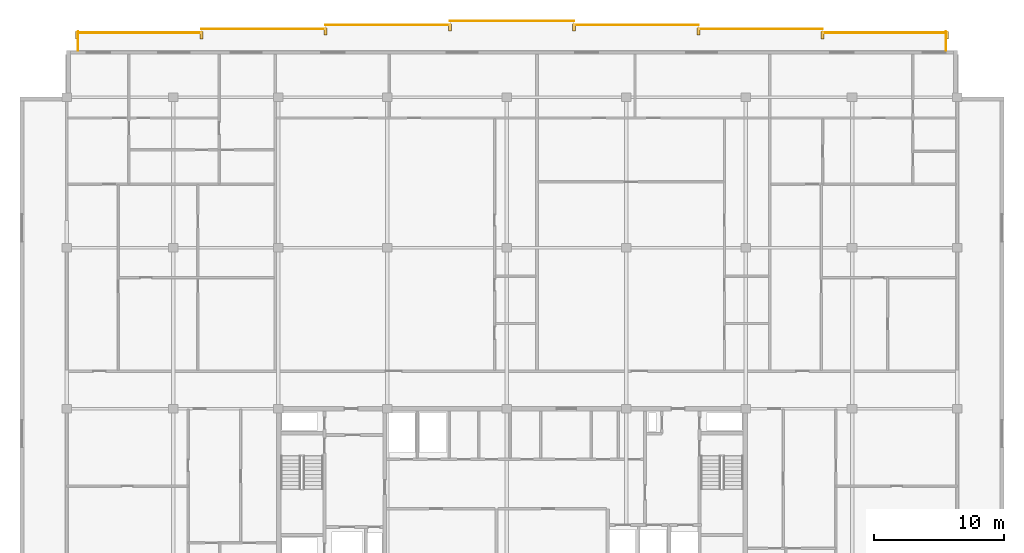
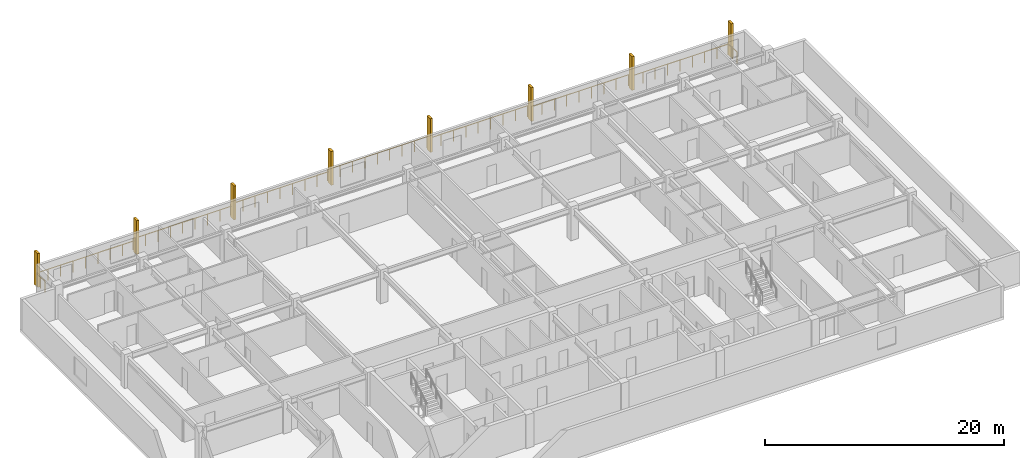
# One storey, part 10 of 10: 9 railings, 8 shading devices.
"""IFC4 building model written with IfcOpenShell, lengths in metres."""

import ifcopenshell
import ifcopenshell.guid

model = None  # the IFC model being written
_history = None  # IfcOwnerHistory: only IFC2X3 demands one
_inside = {}  # id of a spatial element -> (the spatial element, [elements in it])
_under = {}  # id of a project, library or spatial element -> (it, [spatial elements below it])
_declared = {}  # id of a project -> (the project, [libraries it declares])
_typed = {}  # id of a type object -> (the type object, [elements of that type])
_made_of = {}  # id of a material, layer set ... -> (it, [elements and type objects made of it])


def new_model(schema):
    """Start an empty IFC model of exactly this schema.

    Asked for "IFC4X3", IfcOpenShell would pick the latest addendum, in which some entities
    have other attributes; the version numbers below select the first issue.
    IFC2X3 requires an IfcOwnerHistory on every rooted entity: one is made here for all.
    """
    global model, _history
    if schema == "IFC4X3":
        model = ifcopenshell.file(schema_version=(4, 3, 0, 0))
    else:
        model = ifcopenshell.file(schema=schema)
    _inside.clear()
    _under.clear()
    _declared.clear()
    _typed.clear()
    _made_of.clear()
    _history = None
    if model.schema == "IFC2X3":
        org = make("IfcOrganization", Name="unknown")
        user = make(
            "IfcPersonAndOrganization",
            ThePerson=make("IfcPerson", FamilyName="unknown"),
            TheOrganization=org,
        )
        app = make(
            "IfcApplication",
            ApplicationDeveloper=org,
            Version="unknown",
            ApplicationFullName="unknown",
            ApplicationIdentifier="unknown",
        )
        _history = make(
            "IfcOwnerHistory",
            OwningUser=user,
            OwningApplication=app,
            ChangeAction="ADDED",
            CreationDate=0,
        )
    return model


def make(cls, **values):
    """One entity of the class cls with the attributes given. An attribute that is None is left unset."""
    return model.create_entity(
        cls, **{name: value for name, value in values.items() if value is not None}
    )


def rooted(cls, **values):
    """An entity with a GlobalId (a new one), such as an element, a storey or a relation."""
    return make(cls, GlobalId=ifcopenshell.guid.new(), OwnerHistory=_history, **values)


def si_unit(unit_type, name, prefix=None):
    """IfcSIUnit, for example si_unit("LENGTHUNIT", "METRE", prefix="MILLI")."""
    return make("IfcSIUnit", UnitType=unit_type, Prefix=prefix, Name=name)


def assignment(units):
    """IfcUnitAssignment: the units of a project."""
    return None if units is None else make("IfcUnitAssignment", Units=units)


def point(xyz):
    """IfcCartesianPoint."""
    return None if xyz is None else make("IfcCartesianPoint", Coordinates=xyz)


def direction(xyz):
    """IfcDirection."""
    return None if xyz is None else make("IfcDirection", DirectionRatios=xyz)


def frame(location, z_axis=None, x_axis=None):
    """IfcAxis2Placement3D, a coordinate frame: its origin and axes. An axis left out is left unset."""
    return make(
        "IfcAxis2Placement3D",
        Location=point(location),
        Axis=direction(z_axis),
        RefDirection=direction(x_axis),
    )


def frame_2d(location, x_axis=None):
    """IfcAxis2Placement2D, a coordinate frame in the plane: its origin and x axis."""
    return make(
        "IfcAxis2Placement2D", Location=point(location), RefDirection=direction(x_axis)
    )


def origin():
    """The frame at (0, 0, 0) with its axes left unset."""
    return frame((0.0, 0.0, 0.0))


def origin_2d():
    """The frame at (0, 0) in the plane with its x axis left unset."""
    return frame_2d((0.0, 0.0))


def place(relative_to, where):
    """IfcLocalPlacement: puts the frame where relative to a parent placement (None: the world)."""
    return make(
        "IfcLocalPlacement", PlacementRelTo=relative_to, RelativePlacement=where
    )


def context(
    kind, dimensions, precision=None, world=None, true_north=None, identifier=None
):
    """IfcGeometricRepresentationContext, for example the 3D "Model" context."""
    return make(
        "IfcGeometricRepresentationContext",
        ContextIdentifier=identifier,
        ContextType=kind,
        CoordinateSpaceDimension=dimensions,
        Precision=precision,
        WorldCoordinateSystem=world,
        TrueNorth=true_north,
    )


def subcontext(parent, identifier, kind, view, scale=None):
    """IfcGeometricRepresentationSubContext, for example "Body" below "Model"."""
    return make(
        "IfcGeometricRepresentationSubContext",
        ContextIdentifier=identifier,
        ContextType=kind,
        ParentContext=parent,
        TargetScale=scale,
        TargetView=view,
    )


def project(units=None, contexts=None):
    """IfcProject with its units and contexts."""
    return rooted(
        "IfcProject",
        Name="project",
        RepresentationContexts=contexts,
        UnitsInContext=assignment(units),
    )


def spatial(cls, under=None, at=None, **own):
    """A site, building, storey or space (cls), placed at a placement, below another one or the project."""
    s = rooted(cls, ObjectPlacement=at, **own)
    if under is not None:
        _under.setdefault(under.id(), (under, []))[1].append(s)
    return s


def profile(cls, at=None, kind="AREA", **sizes):
    """A parametric profile (cls). Its sizes go by their IFC names, for example OverallWidth=200.0."""
    return make(cls, ProfileType=kind, Position=at, **sizes)


def rectangle(**sizes):
    """IfcRectangleProfileDef."""
    return profile("IfcRectangleProfileDef", **sizes)


def circle(**sizes):
    """IfcCircleProfileDef."""
    return profile("IfcCircleProfileDef", **sizes)


def extrude(swept, where, along, depth):
    """IfcExtrudedAreaSolid: the profile swept, set in the frame where, extruded along a direction by depth."""
    return make(
        "IfcExtrudedAreaSolid",
        SweptArea=swept,
        Position=where,
        ExtrudedDirection=direction(along),
        Depth=depth,
    )


def shape(context_of_items, identifier, shape_type, items):
    """IfcShapeRepresentation: the items that make up one representation, for example the "Body"."""
    return make(
        "IfcShapeRepresentation",
        ContextOfItems=context_of_items,
        RepresentationIdentifier=identifier,
        RepresentationType=shape_type,
        Items=items,
    )


def material(Name=None, Category=None):
    """IfcMaterial."""
    return make("IfcMaterial", Name=Name, Category=Category)


def made_of(thing, what):
    """Note that an element or type object is made of a material, layer set ...; save() writes the relation."""
    if what is not None:
        _made_of.setdefault(what.id(), (what, []))[1].append(thing)
    return thing


def type_object(cls, material=None, **own):
    """A type object (cls), such as IfcWallType, which elements share."""
    return made_of(rooted(cls, **own), material)


def element(
    cls,
    number,
    at=None,
    inside=None,
    cuts=None,
    type_object=None,
    material=None,
    context=None,
    identifier="Body",
    shape_type=None,
    held_by="IfcProductDefinitionShape",
    body=None,
    shapes=None,
    **own,
):
    """One element of the class cls, such as IfcWall. Its Tag is "e" and its number.

    at: its placement. inside: the storey or other place that contains it. cuts: it is an
    opening in that element (IfcRelVoidsElement). A single representation is given by context,
    identifier, shape_type and body (its items); several are given by shapes. held_by: the class
    of the entity that holds the representations. save() writes the other relations.
    """
    e = rooted(cls, Tag="e%d" % number, ObjectPlacement=at, **own)
    if body is not None:
        shapes = [shape(context, identifier, shape_type, body)]
    if shapes is not None:
        e.Representation = make(held_by, Representations=shapes)
    if inside is not None:
        _inside.setdefault(inside.id(), (inside, []))[1].append(e)
    if cuts is not None:
        rooted(
            "IfcRelVoidsElement", RelatingBuildingElement=cuts, RelatedOpeningElement=e
        )
    if type_object is not None:
        _typed.setdefault(type_object.id(), (type_object, []))[1].append(e)
    return made_of(e, material)


def aggregate(whole, parts):
    """IfcRelAggregates: a whole, such as a stair, and the parts it consists of."""
    return rooted("IfcRelAggregates", RelatingObject=whole, RelatedObjects=parts)


def save(model, path):
    """Write the relations noted so far, then the file.

    IfcRelAggregates (storeys below a building ...), IfcRelContainedInSpatialStructure (elements
    in a storey), IfcRelDefinesByType, IfcRelAssociatesMaterial and IfcRelDeclares: one each for
    every whole, place, type object, material and project.
    """
    for whole, parts in _under.values():
        aggregate(whole, parts)
    for where, things in _inside.values():
        rooted(
            "IfcRelContainedInSpatialStructure",
            RelatedElements=things,
            RelatingStructure=where,
        )
    for kind, things in _typed.values():
        rooted("IfcRelDefinesByType", RelatedObjects=things, RelatingType=kind)
    for what, things in _made_of.values():
        rooted("IfcRelAssociatesMaterial", RelatedObjects=things, RelatingMaterial=what)
    for by, libraries in _declared.values():
        rooted("IfcRelDeclares", RelatingContext=by, RelatedDefinitions=libraries)
    model.write(path)


model = new_model("IFC4")

# Units and contexts
model_context = context("Model", 3, precision=1e-05, world=origin(), true_north=direction((0.0, 1.0)))
body_context = subcontext(model_context, "Body", "Model", "MODEL_VIEW")
ifc_project = project(units=[si_unit("LENGTHUNIT", "METRE"), si_unit("AREAUNIT", "SQUARE_METRE"), si_unit("VOLUMEUNIT", "CUBIC_METRE"), si_unit("PLANEANGLEUNIT", "RADIAN"), si_unit("MASSUNIT", "GRAM", prefix="KILO")], contexts=[model_context])

# Site, building, storey
site_placement = place(None, origin())
site = spatial("IfcSite", under=ifc_project, at=site_placement, CompositionType="ELEMENT")
building_placement = place(site_placement, origin())
building = spatial("IfcBuilding", under=site, at=building_placement, Name="Korimba Cascade Residences", CompositionType="ELEMENT")
storey_placement = place(building_placement, frame((0.0, 0.0, 242.449951171875)))
storey = spatial("IfcBuildingStorey", under=building, at=storey_placement, Name="L70", CompositionType="ELEMENT", Elevation=242.449951171875)

# Railings
ifc_material_1 = material(Name="Laminated Glass and Bronze Balustrade", Category="glass")
railing_type = type_object("IfcRailingType", Name="RLG-LOG-1150", PredefinedType="BALUSTRADE", material=ifc_material_1)
railing_1_placement = place(storey_placement, frame((127.52001953125, 94.800048828125, 0.0)))
element("IfcRailing", 1, at=railing_1_placement, inside=storey, type_object=railing_type, Name="L70 Perimeter Guardrail RLG-L70-T1-LOG-01", PredefinedType="BALUSTRADE", context=body_context, shape_type="SweptSolid", body=[
    extrude(circle(Radius=0.02392578125, at=origin_2d()), frame((0.0, 0.0, 1.1259765625), z_axis=(0.0, 1.0, 0.0), x_axis=(-1.0, 0.0, 0.0)), (0.0, 0.0, 1.0), 1.449951171875),
    extrude(circle(Radius=0.02099609375, at=origin_2d()), origin(), (0.0, 0.0, 1.0), 1.101806640625),
    extrude(circle(Radius=0.02099609375, at=origin_2d()), frame((0.0, 0.72509765625, 0.0)), (0.0, 0.0, 1.0), 1.101806640625),
    extrude(circle(Radius=0.02099609375, at=origin_2d()), frame((0.0, 1.449951171875, 0.0)), (0.0, 0.0, 1.0), 1.101806640625),
])
for number, where, name in (
    (2, (127.60009765625, 96.169921875, 0.0), "L70 Perimeter Guardrail RLG-L70-T1-LOG-02"),
    (3, (118.028564453125, 96.469970703125, 0.0), "L70 Perimeter Guardrail RLG-L70-T1-LOG-03"),
):
    element("IfcRailing", number, at=place(storey_placement, frame(where)), inside=storey, type_object=railing_type, Name=name, PredefinedType="BALUSTRADE", context=body_context, shape_type="SweptSolid", body=[
        extrude(circle(Radius=0.02392578125, at=origin_2d()), frame((0.0, 0.0, 1.1259765625), z_axis=(-1.0, 0.0, 0.0), x_axis=(0.0, -1.0, 0.0)), (0.0, 0.0, 1.0), 9.571533203125),
        extrude(circle(Radius=0.02099609375, at=origin_2d()), origin(), (0.0, 0.0, 1.0), 1.101806640625),
        extrude(circle(Radius=0.02099609375, at=origin_2d()), frame((-1.196533203125, 0.0, 0.0)), (0.0, 0.0, 1.0), 1.101806640625),
        extrude(circle(Radius=0.02099609375, at=origin_2d()), frame((-2.392822265625, 0.0, 0.0)), (0.0, 0.0, 1.0), 1.101806640625),
        extrude(circle(Radius=0.02099609375, at=origin_2d()), frame((-3.58935546875, 0.0, 0.0)), (0.0, 0.0, 1.0), 1.101806640625),
        extrude(circle(Radius=0.02099609375, at=origin_2d()), frame((-4.78564453125, 0.0, 0.0)), (0.0, 0.0, 1.0), 1.101806640625),
        extrude(circle(Radius=0.02099609375, at=origin_2d()), frame((-5.982177734375, 0.0, 0.0)), (0.0, 0.0, 1.0), 1.101806640625),
        extrude(circle(Radius=0.02099609375, at=origin_2d()), frame((-7.1787109375, 0.0, 0.0)), (0.0, 0.0, 1.0), 1.101806640625),
        extrude(circle(Radius=0.02099609375, at=origin_2d()), frame((-8.375, 0.0, 0.0)), (0.0, 0.0, 1.0), 1.101806640625),
        extrude(circle(Radius=0.02099609375, at=origin_2d()), frame((-9.571533203125, 0.0, 0.0)), (0.0, 0.0, 1.0), 1.101806640625),
    ])
railing_2_placement = place(storey_placement, frame((108.45703125, 96.77001953125, 0.0)))
element("IfcRailing", 4, at=railing_2_placement, inside=storey, type_object=railing_type, Name="L70 Perimeter Guardrail RLG-L70-T1-LOG-04", PredefinedType="BALUSTRADE", context=body_context, shape_type="SweptSolid", body=[
    extrude(circle(Radius=0.02392578125, at=origin_2d()), frame((0.0, 0.0, 1.1259765625), z_axis=(-1.0, 0.0, 0.0), x_axis=(0.0, -1.0, 0.0)), (0.0, 0.0, 1.0), 9.5712890625),
    extrude(circle(Radius=0.02099609375, at=origin_2d()), origin(), (0.0, 0.0, 1.0), 1.101806640625),
    extrude(circle(Radius=0.02099609375, at=origin_2d()), frame((-1.1962890625, 0.0, 0.0)), (0.0, 0.0, 1.0), 1.101806640625),
    extrude(circle(Radius=0.02099609375, at=origin_2d()), frame((-2.392822265625, 0.0, 0.0)), (0.0, 0.0, 1.0), 1.101806640625),
    extrude(circle(Radius=0.02099609375, at=origin_2d()), frame((-3.58935546875, 0.0, 0.0)), (0.0, 0.0, 1.0), 1.101806640625),
    extrude(circle(Radius=0.02099609375, at=origin_2d()), frame((-4.78564453125, 0.0, 0.0)), (0.0, 0.0, 1.0), 1.101806640625),
    extrude(circle(Radius=0.02099609375, at=origin_2d()), frame((-5.98193359375, 0.0, 0.0)), (0.0, 0.0, 1.0), 1.101806640625),
    extrude(circle(Radius=0.02099609375, at=origin_2d()), frame((-7.178466796875, 0.0, 0.0)), (0.0, 0.0, 1.0), 1.101806640625),
    extrude(circle(Radius=0.02099609375, at=origin_2d()), frame((-8.375, 0.0, 0.0)), (0.0, 0.0, 1.0), 1.101806640625),
    extrude(circle(Radius=0.02099609375, at=origin_2d()), frame((-9.5712890625, 0.0, 0.0)), (0.0, 0.0, 1.0), 1.101806640625),
])
railing_3_placement = place(storey_placement, frame((98.8857421875, 97.070068359375, 0.0)))
element("IfcRailing", 5, at=railing_3_placement, inside=storey, type_object=railing_type, Name="L70 Perimeter Guardrail RLG-L70-T1-LOG-05", PredefinedType="BALUSTRADE", context=body_context, shape_type="SweptSolid", body=[
    extrude(circle(Radius=0.02392578125, at=origin_2d()), frame((0.0, 0.0, 1.1259765625), z_axis=(-1.0, 0.0, 0.0), x_axis=(0.0, -1.0, 0.0)), (0.0, 0.0, 1.0), 9.571533203125),
    extrude(circle(Radius=0.02099609375, at=origin_2d()), origin(), (0.0, 0.0, 1.0), 1.101806640625),
    extrude(circle(Radius=0.02099609375, at=origin_2d()), frame((-1.196533203125, 0.0, 0.0)), (0.0, 0.0, 1.0), 1.101806640625),
    extrude(circle(Radius=0.02099609375, at=origin_2d()), frame((-2.392822265625, 0.0, 0.0)), (0.0, 0.0, 1.0), 1.101806640625),
    extrude(circle(Radius=0.02099609375, at=origin_2d()), frame((-3.58935546875, 0.0, 0.0)), (0.0, 0.0, 1.0), 1.101806640625),
    extrude(circle(Radius=0.02099609375, at=origin_2d()), frame((-4.78564453125, 0.0, 0.0)), (0.0, 0.0, 1.0), 1.101806640625),
    extrude(circle(Radius=0.02099609375, at=origin_2d()), frame((-5.982177734375, 0.0, 0.0)), (0.0, 0.0, 1.0), 1.101806640625),
    extrude(circle(Radius=0.02099609375, at=origin_2d()), frame((-7.1787109375, 0.0, 0.0)), (0.0, 0.0, 1.0), 1.101806640625),
    extrude(circle(Radius=0.02099609375, at=origin_2d()), frame((-8.375, 0.0, 0.0)), (0.0, 0.0, 1.0), 1.101806640625),
    extrude(circle(Radius=0.02099609375, at=origin_2d()), frame((-9.571533203125, 0.0, 0.0)), (0.0, 0.0, 1.0), 1.101806640625),
])
railing_4_placement = place(storey_placement, frame((89.314208984375, 96.77001953125, 0.0)))
element("IfcRailing", 6, at=railing_4_placement, inside=storey, type_object=railing_type, Name="L70 Perimeter Guardrail RLG-L70-T1-LOG-06", PredefinedType="BALUSTRADE", context=body_context, shape_type="SweptSolid", body=[
    extrude(circle(Radius=0.02392578125, at=origin_2d()), frame((0.0, 0.0, 1.1259765625), z_axis=(-1.0, 0.0, 0.0), x_axis=(0.0, -1.0, 0.0)), (0.0, 0.0, 1.0), 9.5712890625),
    extrude(circle(Radius=0.02099609375, at=origin_2d()), origin(), (0.0, 0.0, 1.0), 1.101806640625),
    extrude(circle(Radius=0.02099609375, at=origin_2d()), frame((-1.1962890625, 0.0, 0.0)), (0.0, 0.0, 1.0), 1.101806640625),
    extrude(circle(Radius=0.02099609375, at=origin_2d()), frame((-2.392822265625, 0.0, 0.0)), (0.0, 0.0, 1.0), 1.101806640625),
    extrude(circle(Radius=0.02099609375, at=origin_2d()), frame((-3.58935546875, 0.0, 0.0)), (0.0, 0.0, 1.0), 1.101806640625),
    extrude(circle(Radius=0.02099609375, at=origin_2d()), frame((-4.78564453125, 0.0, 0.0)), (0.0, 0.0, 1.0), 1.101806640625),
    extrude(circle(Radius=0.02099609375, at=origin_2d()), frame((-5.98193359375, 0.0, 0.0)), (0.0, 0.0, 1.0), 1.101806640625),
    extrude(circle(Radius=0.02099609375, at=origin_2d()), frame((-7.178466796875, 0.0, 0.0)), (0.0, 0.0, 1.0), 1.101806640625),
    extrude(circle(Radius=0.02099609375, at=origin_2d()), frame((-8.375, 0.0, 0.0)), (0.0, 0.0, 1.0), 1.101806640625),
    extrude(circle(Radius=0.02099609375, at=origin_2d()), frame((-9.5712890625, 0.0, 0.0)), (0.0, 0.0, 1.0), 1.101806640625),
])
railing_5_placement = place(storey_placement, frame((79.742919921875, 96.469970703125, 0.0)))
element("IfcRailing", 7, at=railing_5_placement, inside=storey, type_object=railing_type, Name="L70 Perimeter Guardrail RLG-L70-T1-LOG-07", PredefinedType="BALUSTRADE", context=body_context, shape_type="SweptSolid", body=[
    extrude(circle(Radius=0.02392578125, at=origin_2d()), frame((0.0, 0.0, 1.1259765625), z_axis=(-1.0, 0.0, 0.0), x_axis=(0.0, -1.0, 0.0)), (0.0, 0.0, 1.0), 9.571533203125),
    extrude(circle(Radius=0.02099609375, at=origin_2d()), origin(), (0.0, 0.0, 1.0), 1.101806640625),
    extrude(circle(Radius=0.02099609375, at=origin_2d()), frame((-1.196533203125, 0.0, 0.0)), (0.0, 0.0, 1.0), 1.101806640625),
    extrude(circle(Radius=0.02099609375, at=origin_2d()), frame((-2.392822265625, 0.0, 0.0)), (0.0, 0.0, 1.0), 1.101806640625),
    extrude(circle(Radius=0.02099609375, at=origin_2d()), frame((-3.58935546875, 0.0, 0.0)), (0.0, 0.0, 1.0), 1.101806640625),
    extrude(circle(Radius=0.02099609375, at=origin_2d()), frame((-4.78564453125, 0.0, 0.0)), (0.0, 0.0, 1.0), 1.101806640625),
    extrude(circle(Radius=0.02099609375, at=origin_2d()), frame((-5.982177734375, 0.0, 0.0)), (0.0, 0.0, 1.0), 1.101806640625),
    extrude(circle(Radius=0.02099609375, at=origin_2d()), frame((-7.1787109375, 0.0, 0.0)), (0.0, 0.0, 1.0), 1.101806640625),
    extrude(circle(Radius=0.02099609375, at=origin_2d()), frame((-8.375, 0.0, 0.0)), (0.0, 0.0, 1.0), 1.101806640625),
    extrude(circle(Radius=0.02099609375, at=origin_2d()), frame((-9.571533203125, 0.0, 0.0)), (0.0, 0.0, 1.0), 1.101806640625),
])
railing_6_placement = place(storey_placement, frame((70.17138671875, 96.169921875, 0.0)))
element("IfcRailing", 8, at=railing_6_placement, inside=storey, type_object=railing_type, Name="L70 Perimeter Guardrail RLG-L70-T1-LOG-08", PredefinedType="BALUSTRADE", context=body_context, shape_type="SweptSolid", body=[
    extrude(circle(Radius=0.02392578125, at=origin_2d()), frame((0.0, 0.0, 1.1259765625), z_axis=(-1.0, 0.0, 0.0), x_axis=(0.0, -1.0, 0.0)), (0.0, 0.0, 1.0), 9.5712890625),
    extrude(circle(Radius=0.02099609375, at=origin_2d()), origin(), (0.0, 0.0, 1.0), 1.101806640625),
    extrude(circle(Radius=0.02099609375, at=origin_2d()), frame((-1.1962890625, 0.0, 0.0)), (0.0, 0.0, 1.0), 1.101806640625),
    extrude(circle(Radius=0.02099609375, at=origin_2d()), frame((-2.392822265625, 0.0, 0.0)), (0.0, 0.0, 1.0), 1.101806640625),
    extrude(circle(Radius=0.02099609375, at=origin_2d()), frame((-3.58935546875, 0.0, 0.0)), (0.0, 0.0, 1.0), 1.101806640625),
    extrude(circle(Radius=0.02099609375, at=origin_2d()), frame((-4.78564453125, 0.0, 0.0)), (0.0, 0.0, 1.0), 1.101806640625),
    extrude(circle(Radius=0.02099609375, at=origin_2d()), frame((-5.98193359375, 0.0, 0.0)), (0.0, 0.0, 1.0), 1.101806640625),
    extrude(circle(Radius=0.02099609375, at=origin_2d()), frame((-7.178466796875, 0.0, 0.0)), (0.0, 0.0, 1.0), 1.101806640625),
    extrude(circle(Radius=0.02099609375, at=origin_2d()), frame((-8.375, 0.0, 0.0)), (0.0, 0.0, 1.0), 1.101806640625),
    extrude(circle(Radius=0.02099609375, at=origin_2d()), frame((-9.5712890625, 0.0, 0.0)), (0.0, 0.0, 1.0), 1.101806640625),
])
railing_7_placement = place(storey_placement, frame((60.679931640625, 96.25, 0.0)))
element("IfcRailing", 9, at=railing_7_placement, inside=storey, type_object=railing_type, Name="L70 Perimeter Guardrail RLG-L70-T1-LOG-09", PredefinedType="BALUSTRADE", context=body_context, shape_type="SweptSolid", body=[
    extrude(circle(Radius=0.02392578125, at=origin_2d()), frame((0.0, 0.0, 1.1259765625), z_axis=(0.0, -1.0, 0.0), x_axis=(1.0, 0.0, 0.0)), (0.0, 0.0, 1.0), 1.449951171875),
    extrude(circle(Radius=0.02099609375, at=origin_2d()), origin(), (0.0, 0.0, 1.0), 1.101806640625),
    extrude(circle(Radius=0.02099609375, at=origin_2d()), frame((0.0, -0.72509765625, 0.0)), (0.0, 0.0, 1.0), 1.101806640625),
    extrude(circle(Radius=0.02099609375, at=origin_2d()), frame((0.0, -1.449951171875, 0.0)), (0.0, 0.0, 1.0), 1.101806640625),
])

# Shading devices
ifc_material_2 = material(Name="Honed Sandstone Precast Fin", Category="masonry")
shading_device_type = type_object("IfcShadingDeviceType", Name="SHD-FIN-550", PredefinedType="USERDEFINED", material=ifc_material_2)
for number, where, z_axis, x_axis, name in (
    (10, (60.60009765625, 95.97509765625, 0.0), (0.0, 0.0, 1.0), (1.0, 0.0, 0.0), "L70 T1 Warm-Stone Loggia Fin 1"),
    (11, (70.17138671875, 95.97509765625, 0.0), (0.0, 0.0, 1.0), (1.0, 0.0, 0.0), "L70 T1 Warm-Stone Loggia Fin 2"),
    (12, (79.742919921875, 96.27490234375, 0.0), (0.0, 0.0, 1.0), (1.0, 0.0, 0.0), "L70 T1 Warm-Stone Loggia Fin 3"),
    (13, (89.314208984375, 96.574951171875, 0.0), (0.0, 0.0, 1.0), (1.0, 0.0, 0.0), "L70 T1 Warm-Stone Loggia Fin 4"),
    (14, (98.8857421875, 96.574951171875, 0.0), (0.0, 0.0, 1.0), (1.0, 0.0, 0.0), "L70 T1 Warm-Stone Loggia Fin 5"),
    (15, (108.45703125, 96.27490234375, 0.0), (0.0, 0.0, 1.0), (1.0, 0.0, 0.0), "L70 T1 Warm-Stone Loggia Fin 6"),
    (16, (118.028564453125, 95.97509765625, 0.0), (0.0, 0.0, 1.0), (1.0, 0.0, 0.0), "L70 T1 Warm-Stone Loggia Fin 7"),
    (17, (127.60009765625, 95.97509765625, 0.0), (0.0, 0.0, 1.0), (1.0, 0.0, 0.0), "L70 T1 Warm-Stone Loggia Fin 8"),
):
    element("IfcShadingDevice", number, at=place(storey_placement, frame(where, z_axis=z_axis, x_axis=x_axis)), inside=storey, type_object=shading_device_type, Name=name, ObjectType="FIN", PredefinedType="USERDEFINED", context=body_context, shape_type="SweptSolid", body=[
        extrude(rectangle(XDim=0.219970703125, YDim=0.550048828125, at=origin_2d()), origin(), (0.0, 0.0, 1.0), 3.449951171875),
    ])

save(model, "model.ifc")
